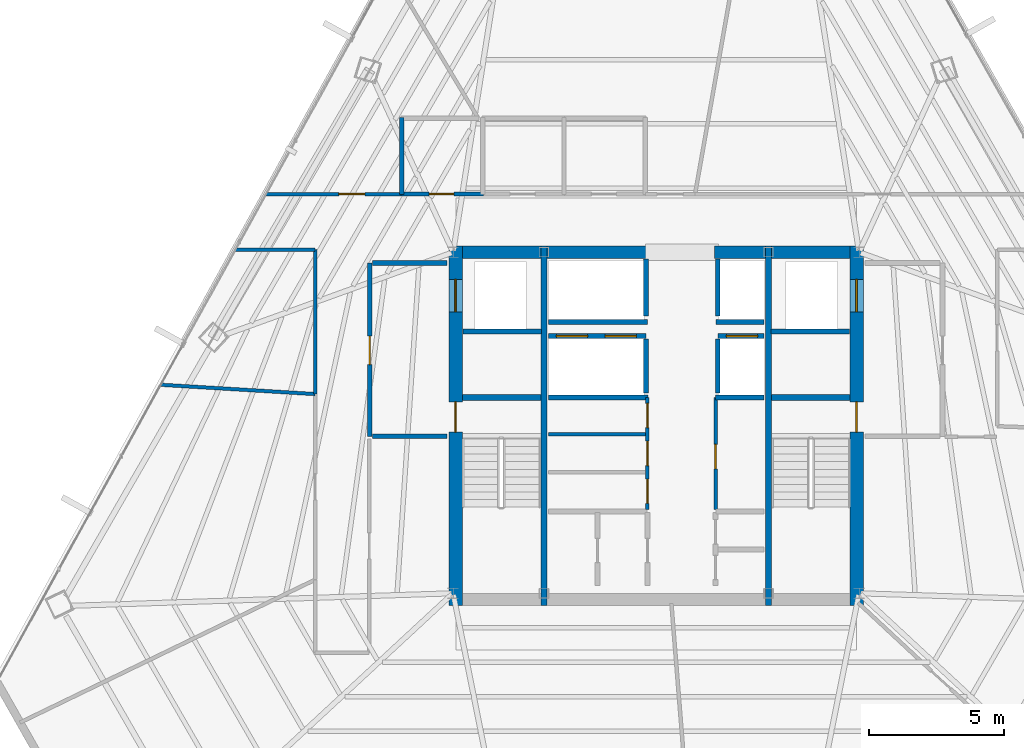
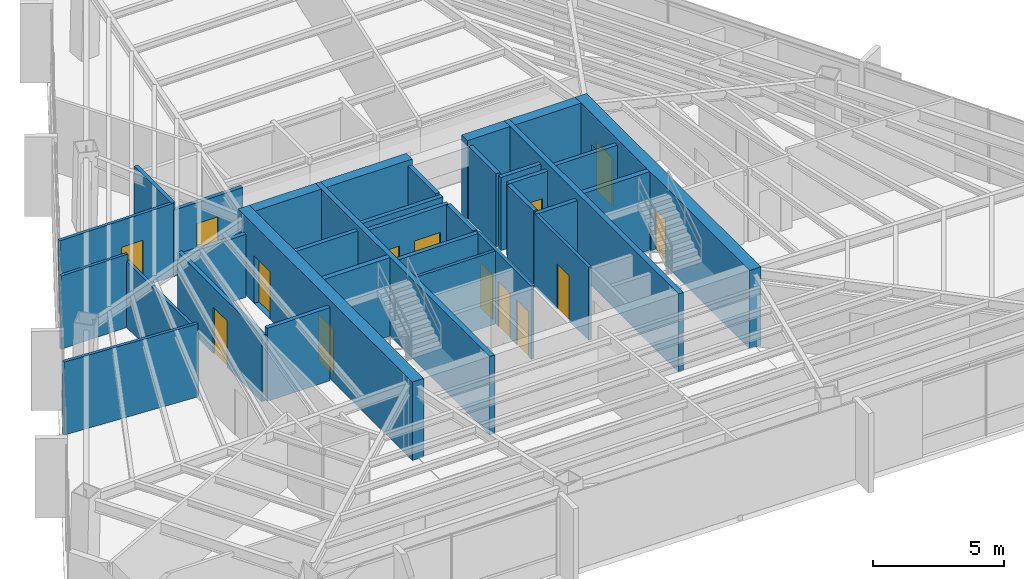
# One storey, part 36 of 41: 34 walls, 14 doors, 14 openings.
"""IFC4 building model written with IfcOpenShell, lengths in metres."""

from ifc_helpers import new_model, si_unit, direction, frame, frame_2d, origin, place, context, subcontext, project, spatial, rectangle, extrude, material, layer, layer_set, type_object, element, fill, save


model = new_model("IFC4")

# Units and contexts
model_context = context("Model", 3, precision=1e-05, world=origin(), true_north=direction((0.0, 1.0)))
body_context = subcontext(model_context, "Body", "Model", "MODEL_VIEW")
ifc_project = project(units=[si_unit("LENGTHUNIT", "METRE"), si_unit("AREAUNIT", "SQUARE_METRE"), si_unit("VOLUMEUNIT", "CUBIC_METRE"), si_unit("PLANEANGLEUNIT", "RADIAN"), si_unit("MASSUNIT", "GRAM", prefix="KILO")], contexts=[model_context])

# Site, building, storey
site_placement = place(None, origin())
site = spatial("IfcSite", under=ifc_project, at=site_placement, CompositionType="ELEMENT")
building_placement = place(site_placement, origin())
building = spatial("IfcBuilding", under=site, at=building_placement, Name="Caelisora Broadcast Tower", CompositionType="ELEMENT")
storey_placement = place(building_placement, frame((0.0, 0.0, 209.60009765625)))
storey = spatial("IfcBuildingStorey", under=building, at=storey_placement, Name="L55", CompositionType="ELEMENT", Elevation=209.60009765625)

# Wall, openings, doors
ifc_material_1 = material(Name="Concrete 50 MPa (AS 3600 S50)", Category="concrete")
ifc_layer_1 = layer(ifc_material_1, 0.5, Name="Concrete 50 MPa (AS 3600 S50)")
ifc_layer_set_1 = layer_set([ifc_layer_1], Name="Concrete 50 MPa (AS 3600 S50)")
wall_type_1 = type_object("IfcWallType", Name="CW2", PredefinedType="SHEAR", material=ifc_layer_set_1)
wall_1_placement = place(storey_placement, frame((30.590087890625, 16.949951171875, 0.0), z_axis=(0.0, 0.0, 1.0), x_axis=(0.0, 1.0, 0.0)))
wall_1 = element("IfcWall", 1, at=wall_1_placement, inside=storey, type_object=wall_type_1, Name="L55 core shear wall CW2", PredefinedType="SHEAR", context=body_context, shape_type="SweptSolid", body=[
    extrude(rectangle(XDim=13.275146484375, YDim=0.5, at=frame_2d((6.6376953125, 0.0))), origin(), (0.0, 0.0, 1.0), 3.64990234375),
])
opening_1_placement = place(wall_1_placement, frame((6.39990234375, 0.0, 0.0)))
opening_1 = element("IfcOpeningElement", 2, at=opening_1_placement, cuts=wall_1, Name="Opening FD04", PredefinedType="OPENING", context=body_context, shape_type="SweptSolid", body=[
    extrude(rectangle(XDim=1.1201171875, YDim=2.14990234375, at=frame_2d((0.56005859375, 1.074951171875))), frame((0.0, 0.261962890625, 0.0), z_axis=(0.0, -1.0, 0.0), x_axis=(1.0, 0.0, 0.0)), (0.0, 0.0, 1.0), 0.52392578125),
])
opening_2_placement = place(wall_1_placement, frame((10.85009765625, 0.0, 0.0)))
opening_2 = element("IfcOpeningElement", 3, at=opening_2_placement, cuts=wall_1, Name="Opening LD04", PredefinedType="OPENING", context=body_context, shape_type="SweptSolid", body=[
    extrude(rectangle(XDim=1.199951171875, YDim=2.199951171875, at=frame_2d((0.60009765625, 1.10009765625))), frame((0.0, 0.261962890625, 0.0), z_axis=(0.0, -1.0, 0.0), x_axis=(1.0, 0.0, 0.0)), (0.0, 0.0, 1.0), 0.52392578125),
])
ifc_material_2 = material(Name="Pressurised Fire-Isolated Stair Door", Category="steel")
door_type_1 = type_object("IfcDoorType", Name="FD04", OperationType="NOTDEFINED", PredefinedType="DOOR", material=ifc_material_2)
door_1_placement = place(opening_1_placement, origin())
door_1 = element("IfcDoor", 4, at=door_1_placement, inside=storey, type_object=door_type_1, Name="L55 door FD04 (L55-DR-ST1)", OperationType="SINGLE_SWING_LEFT", OverallHeight=2.14990234375, OverallWidth=1.1201171875, PredefinedType="DOOR", context=body_context, shape_type="SweptSolid", body=[
    extrude(rectangle(XDim=1.1201171875, YDim=2.14990234375, at=frame_2d((0.56005859375, 1.074951171875))), frame((0.0, 0.02490234375, 0.0), z_axis=(0.0, -1.0, 0.0), x_axis=(1.0, 0.0, 0.0)), (0.0, 0.0, 1.0), 0.050048828125),
])
fill(opening_1, door_1)
ifc_material_3 = material(Name="Emergency Firefighting Lift Sliding Landing Door", Category="steel")
door_type_2 = type_object("IfcDoorType", Name="LD04", OperationType="NOTDEFINED", PredefinedType="DOOR", material=ifc_material_3)
door_2_placement = place(opening_2_placement, origin())
door_2 = element("IfcDoor", 5, at=door_2_placement, inside=storey, type_object=door_type_2, Name="L55 door LD04 (L55-LD-FFL1)", OperationType="SLIDING_TO_LEFT", OverallHeight=2.199951171875, OverallWidth=1.199951171875, PredefinedType="DOOR", context=body_context, shape_type="SweptSolid", body=[
    extrude(rectangle(XDim=1.199951171875, YDim=2.199951171875, at=frame_2d((0.60009765625, 1.10009765625))), frame((0.0, 0.02490234375, 0.0), z_axis=(0.0, -1.0, 0.0), x_axis=(1.0, 0.0, 0.0)), (0.0, 0.0, 1.0), 0.050048828125),
])
fill(opening_2, door_2)

wall_2_placement = place(storey_placement, frame((45.409912109375, 16.949951171875, 0.0), z_axis=(0.0, 0.0, 1.0), x_axis=(0.0, 1.0, 0.0)))
wall_2 = element("IfcWall", 6, at=wall_2_placement, inside=storey, type_object=wall_type_1, Name="L55 core shear wall CW2", PredefinedType="SHEAR", context=body_context, shape_type="SweptSolid", body=[
    extrude(rectangle(XDim=13.275146484375, YDim=0.5, at=frame_2d((6.6376953125, 0.0))), origin(), (0.0, 0.0, 1.0), 3.64990234375),
])
opening_3_placement = place(wall_2_placement, frame((6.39990234375, 0.0, 0.0)))
opening_3 = element("IfcOpeningElement", 7, at=opening_3_placement, cuts=wall_2, Name="Opening FD04", PredefinedType="OPENING", context=body_context, shape_type="SweptSolid", body=[
    extrude(rectangle(XDim=1.1201171875, YDim=2.14990234375, at=frame_2d((0.56005859375, 1.074951171875))), frame((0.0, 0.261962890625, 0.0), z_axis=(0.0, -1.0, 0.0), x_axis=(1.0, 0.0, 0.0)), (0.0, 0.0, 1.0), 0.52392578125),
])
opening_4_placement = place(wall_2_placement, frame((10.85009765625, 0.0, 0.0)))
opening_4 = element("IfcOpeningElement", 8, at=opening_4_placement, cuts=wall_2, Name="Opening LD04", PredefinedType="OPENING", context=body_context, shape_type="SweptSolid", body=[
    extrude(rectangle(XDim=1.199951171875, YDim=2.199951171875, at=frame_2d((0.60009765625, 1.10009765625))), frame((0.0, 0.261962890625, 0.0), z_axis=(0.0, -1.0, 0.0), x_axis=(1.0, 0.0, 0.0)), (0.0, 0.0, 1.0), 0.52392578125),
])
door_3_placement = place(opening_3_placement, origin())
door_3 = element("IfcDoor", 9, at=door_3_placement, inside=storey, type_object=door_type_1, Name="L55 door FD04 (L55-DR-ST2)", OperationType="SINGLE_SWING_RIGHT", OverallHeight=2.14990234375, OverallWidth=1.1201171875, PredefinedType="DOOR", context=body_context, shape_type="SweptSolid", body=[
    extrude(rectangle(XDim=1.1201171875, YDim=2.14990234375, at=frame_2d((0.56005859375, 1.074951171875))), frame((0.0, 0.02490234375, 0.0), z_axis=(0.0, -1.0, 0.0), x_axis=(1.0, 0.0, 0.0)), (0.0, 0.0, 1.0), 0.050048828125),
])
fill(opening_3, door_3)
door_4_placement = place(opening_4_placement, origin())
door_4 = element("IfcDoor", 10, at=door_4_placement, inside=storey, type_object=door_type_2, Name="L55 door LD04 (L55-LD-FFL2)", OperationType="SLIDING_TO_RIGHT", OverallHeight=2.199951171875, OverallWidth=1.199951171875, PredefinedType="DOOR", context=body_context, shape_type="SweptSolid", body=[
    extrude(rectangle(XDim=1.199951171875, YDim=2.199951171875, at=frame_2d((0.60009765625, 1.10009765625))), frame((0.0, 0.02490234375, 0.0), z_axis=(0.0, -1.0, 0.0), x_axis=(1.0, 0.0, 0.0)), (0.0, 0.0, 1.0), 0.050048828125),
])
fill(opening_4, door_4)

# Walls
ifc_layer_2 = layer(ifc_material_1, 0.449951171875, Name="Concrete 50 MPa (AS 3600 S50)")
ifc_layer_set_2 = layer_set([ifc_layer_2], Name="Concrete 50 MPa (AS 3600 S50)")
wall_type_2 = type_object("IfcWallType", Name="CW5", PredefinedType="SHEAR", material=ifc_layer_set_2)
wall_3_placement = place(storey_placement, frame((30.840087890625, 30.0, 0.0), z_axis=(0.0, 0.0, 1.0), x_axis=(1.0, 0.0, 0.0)))
element("IfcWall", 11, at=wall_3_placement, inside=storey, type_object=wall_type_2, Name="L55 core shear wall CW5", PredefinedType="SHEAR", context=body_context, shape_type="SweptSolid", body=[
    extrude(rectangle(XDim=2.89990234375, YDim=0.449951171875, at=frame_2d((1.449951171875, 0.0))), origin(), (0.0, 0.0, 1.0), 3.64990234375),
])
wall_4_placement = place(storey_placement, frame((33.9599609375, 30.0, 0.0), z_axis=(0.0, 0.0, 1.0), x_axis=(1.0, 0.0, 0.0)))
element("IfcWall", 12, at=wall_4_placement, inside=storey, type_object=wall_type_2, Name="L55 core shear wall CW5", PredefinedType="SHEAR", context=body_context, shape_type="SweptSolid", body=[
    extrude(rectangle(XDim=3.780029296875, YDim=0.449951171875, at=frame_2d((1.89013671875, 0.0))), origin(), (0.0, 0.0, 1.0), 3.64990234375),
])
wall_5_placement = place(storey_placement, frame((40.159912109375, 30.0, 0.0), z_axis=(0.0, 0.0, 1.0), x_axis=(1.0, 0.0, 0.0)))
element("IfcWall", 13, at=wall_5_placement, inside=storey, type_object=wall_type_2, Name="L55 core shear wall CW5", PredefinedType="SHEAR", context=body_context, shape_type="SweptSolid", body=[
    extrude(rectangle(XDim=1.880126953125, YDim=0.449951171875, at=frame_2d((0.93994140625, 0.0))), origin(), (0.0, 0.0, 1.0), 3.64990234375),
])
wall_6_placement = place(storey_placement, frame((42.260009765625, 30.0, 0.0), z_axis=(0.0, 0.0, 1.0), x_axis=(1.0, 0.0, 0.0)))
element("IfcWall", 14, at=wall_6_placement, inside=storey, type_object=wall_type_2, Name="L55 core shear wall CW5", PredefinedType="SHEAR", context=body_context, shape_type="SweptSolid", body=[
    extrude(rectangle(XDim=2.89990234375, YDim=0.449951171875, at=frame_2d((1.449951171875, 0.0))), origin(), (0.0, 0.0, 1.0), 3.64990234375),
])
ifc_layer_3 = layer(ifc_material_1, 0.219970703125, Name="Concrete 50 MPa (AS 3600 S50)")
ifc_layer_set_3 = layer_set([ifc_layer_3], Name="Concrete 50 MPa (AS 3600 S50)")
wall_type_3 = type_object("IfcWallType", Name="CW7", PredefinedType="SHEAR", material=ifc_layer_set_3)
for number, where, z_axis, x_axis, name in (
    (15, (33.85009765625, 16.949951171875, 0.0), (0.0, 0.0, 1.0), (0.0, 1.0, 0.0), "L55 core shear wall CW7"),
    (16, (42.14990234375, 16.949951171875, 0.0), (0.0, 0.0, 1.0), (0.0, 1.0, 0.0), "L55 core shear wall CW7"),
):
    element("IfcWall", number, at=place(storey_placement, frame(where, z_axis=z_axis, x_axis=x_axis)), inside=storey, type_object=wall_type_3, Name=name, PredefinedType="SHEAR", context=body_context, shape_type="SweptSolid", body=[
        extrude(rectangle(XDim=13.275146484375, YDim=0.219970703125, at=frame_2d((6.6376953125, 0.0))), origin(), (0.0, 0.0, 1.0), 3.64990234375),
    ])
for number, where, z_axis, x_axis, name in (
    (17, (30.840087890625, 24.639892578125, 0.0), (0.0, 0.0, 1.0), (1.0, 0.0, 0.0), "L55 core shear wall CW7"),
    (18, (42.260009765625, 24.639892578125, 0.0), (0.0, 0.0, 1.0), (1.0, 0.0, 0.0), "L55 core shear wall CW7"),
):
    element("IfcWall", number, at=place(storey_placement, frame(where, z_axis=z_axis, x_axis=x_axis)), inside=storey, type_object=wall_type_3, Name=name, PredefinedType="SHEAR", context=body_context, shape_type="SweptSolid", body=[
        extrude(rectangle(XDim=2.89990234375, YDim=0.219970703125, at=frame_2d((1.449951171875, 0.0))), origin(), (0.0, 0.0, 1.0), 3.64990234375),
    ])

# Wall, openings, doors
ifc_material_4 = material(Name="Fire-Rated Gypsum Shaft and Compartment Wall", Category="gypsum")
ifc_layer_4 = layer(ifc_material_4, 0.179931640625, Name="Fire-Rated Gypsum Shaft and Compartment Wall")
ifc_layer_set_4 = layer_set([ifc_layer_4], Name="Fire-Rated Gypsum Shaft and Compartment Wall")
wall_type_4 = type_object("IfcWallType", Name="PW2", PredefinedType="PARTITIONING", material=ifc_layer_set_4)
wall_7_placement = place(storey_placement, frame((34.02001953125, 26.89990234375, 0.0), z_axis=(0.0, 0.0, 1.0), x_axis=(1.0, 0.0, 0.0)))
wall_7 = element("IfcWall", 19, at=wall_7_placement, inside=storey, type_object=wall_type_4, Name="L55 fire compartment wall PW2", PredefinedType="PARTITIONING", context=body_context, shape_type="SweptSolid", body=[
    extrude(rectangle(XDim=3.60009765625, YDim=0.179931640625, at=frame_2d((1.800048828125, 0.0))), origin(), (0.0, 0.0, 1.0), 3.39990234375),
])
opening_5_placement = place(wall_7_placement, frame((0.300048828125, 0.0, 0.0)))
opening_5 = element("IfcOpeningElement", 20, at=opening_5_placement, cuts=wall_7, Name="Opening LD02", PredefinedType="OPENING", context=body_context, shape_type="SweptSolid", body=[
    extrude(rectangle(XDim=1.14990234375, YDim=2.199951171875, at=frame_2d((0.574951171875, 1.10009765625))), frame((0.0, 0.10205078125, 0.0), z_axis=(0.0, -1.0, 0.0), x_axis=(1.0, 0.0, 0.0)), (0.0, 0.0, 1.0), 0.203857421875),
])
opening_6_placement = place(wall_7_placement, frame((2.10009765625, 0.0, 0.0)))
opening_6 = element("IfcOpeningElement", 21, at=opening_6_placement, cuts=wall_7, Name="Opening LD02", PredefinedType="OPENING", context=body_context, shape_type="SweptSolid", body=[
    extrude(rectangle(XDim=1.14990234375, YDim=2.199951171875, at=frame_2d((0.574951171875, 1.10009765625))), frame((0.0, 0.10205078125, 0.0), z_axis=(0.0, -1.0, 0.0), x_axis=(1.0, 0.0, 0.0)), (0.0, 0.0, 1.0), 0.203857421875),
])
ifc_material_5 = material(Name="High-Speed Express Lift Sliding Landing Door", Category="steel")
door_type_3 = type_object("IfcDoorType", Name="LD02", OperationType="NOTDEFINED", PredefinedType="DOOR", material=ifc_material_5)
door_5_placement = place(opening_5_placement, origin())
door_5 = element("IfcDoor", 22, at=door_5_placement, inside=storey, type_object=door_type_3, Name="L55 door LD02 (L55-LD-PLM1)", OperationType="SLIDING_TO_LEFT", OverallHeight=2.199951171875, OverallWidth=1.14990234375, PredefinedType="DOOR", context=body_context, shape_type="SweptSolid", body=[
    extrude(rectangle(XDim=1.14990234375, YDim=2.199951171875, at=frame_2d((0.574951171875, 1.10009765625))), frame((0.0, 0.02490234375, 0.0), z_axis=(0.0, -1.0, 0.0), x_axis=(1.0, 0.0, 0.0)), (0.0, 0.0, 1.0), 0.050048828125),
])
fill(opening_5, door_5)
door_6_placement = place(opening_6_placement, origin())
door_6 = element("IfcDoor", 23, at=door_6_placement, inside=storey, type_object=door_type_3, Name="L55 door LD02 (L55-LD-PLM2)", OperationType="SLIDING_TO_RIGHT", OverallHeight=2.199951171875, OverallWidth=1.14990234375, PredefinedType="DOOR", context=body_context, shape_type="SweptSolid", body=[
    extrude(rectangle(XDim=1.14990234375, YDim=2.199951171875, at=frame_2d((0.574951171875, 1.10009765625))), frame((0.0, 0.02490234375, 0.0), z_axis=(0.0, -1.0, 0.0), x_axis=(1.0, 0.0, 0.0)), (0.0, 0.0, 1.0), 0.050048828125),
])
fill(opening_6, door_6)

# Wall, opening, door
wall_8_placement = place(storey_placement, frame((40.280029296875, 26.89990234375, 0.0), z_axis=(0.0, 0.0, 1.0), x_axis=(1.0, 0.0, 0.0)))
wall_8 = element("IfcWall", 24, at=wall_8_placement, inside=storey, type_object=wall_type_4, Name="L55 fire compartment wall PW2", PredefinedType="PARTITIONING", context=body_context, shape_type="SweptSolid", body=[
    extrude(rectangle(XDim=1.699951171875, YDim=0.179931640625, at=frame_2d((0.85009765625, 0.0))), origin(), (0.0, 0.0, 1.0), 3.39990234375),
])
opening_7_placement = place(wall_8_placement, frame((0.320068359375, 0.0, 0.0)))
opening_7 = element("IfcOpeningElement", 25, at=opening_7_placement, cuts=wall_8, Name="Opening LD02", PredefinedType="OPENING", context=body_context, shape_type="SweptSolid", body=[
    extrude(rectangle(XDim=1.14990234375, YDim=2.199951171875, at=frame_2d((0.574951171875, 1.10009765625))), frame((0.0, 0.10205078125, 0.0), z_axis=(0.0, -1.0, 0.0), x_axis=(1.0, 0.0, 0.0)), (0.0, 0.0, 1.0), 0.203857421875),
])
door_7_placement = place(opening_7_placement, origin())
door_7 = element("IfcDoor", 26, at=door_7_placement, inside=storey, type_object=door_type_3, Name="L55 door LD02 (L55-LD-PLM3)", OperationType="SLIDING_TO_LEFT", OverallHeight=2.199951171875, OverallWidth=1.14990234375, PredefinedType="DOOR", context=body_context, shape_type="SweptSolid", body=[
    extrude(rectangle(XDim=1.14990234375, YDim=2.199951171875, at=frame_2d((0.574951171875, 1.10009765625))), frame((0.0, 0.02490234375, 0.0), z_axis=(0.0, -1.0, 0.0), x_axis=(1.0, 0.0, 0.0)), (0.0, 0.0, 1.0), 0.050048828125),
])
fill(opening_7, door_7)

# Walls
for number, where, z_axis, x_axis, name in (
    (27, (37.6201171875, 24.800048828125, 0.0), (0.0, 0.0, 1.0), (0.0, 1.0, 0.0), "L55 fire compartment wall PW2"),
    (28, (40.280029296875, 24.800048828125, 0.0), (0.0, 0.0, 1.0), (0.0, 1.0, 0.0), "L55 fire compartment wall PW2"),
):
    element("IfcWall", number, at=place(storey_placement, frame(where, z_axis=z_axis, x_axis=x_axis)), inside=storey, type_object=wall_type_4, Name=name, PredefinedType="PARTITIONING", context=body_context, shape_type="SweptSolid", body=[
        extrude(rectangle(XDim=2.0, YDim=0.179931640625, at=frame_2d((1.0, 0.0))), origin(), (0.0, 0.0, 1.0), 3.39990234375),
    ])
wall_9_placement = place(storey_placement, frame((34.02001953125, 24.639892578125, 0.0), z_axis=(0.0, 0.0, 1.0), x_axis=(1.0, 0.0, 0.0)))
element("IfcWall", 29, at=wall_9_placement, inside=storey, type_object=wall_type_4, Name="L55 fire compartment wall PW2", PredefinedType="PARTITIONING", context=body_context, shape_type="SweptSolid", body=[
    extrude(rectangle(XDim=3.679931640625, YDim=0.179931640625, at=frame_2d((1.83984375, 0.0))), origin(), (0.0, 0.0, 1.0), 3.39990234375),
])
wall_10_placement = place(storey_placement, frame((40.199951171875, 24.639892578125, 0.0), z_axis=(0.0, 0.0, 1.0), x_axis=(1.0, 0.0, 0.0)))
element("IfcWall", 30, at=wall_10_placement, inside=storey, type_object=wall_type_4, Name="L55 fire compartment wall PW2", PredefinedType="PARTITIONING", context=body_context, shape_type="SweptSolid", body=[
    extrude(rectangle(XDim=1.780029296875, YDim=0.179931640625, at=frame_2d((0.89013671875, 0.0))), origin(), (0.0, 0.0, 1.0), 3.39990234375),
])
wall_11_placement = place(storey_placement, frame((34.02001953125, 27.419921875, 0.0), z_axis=(0.0, 0.0, 1.0), x_axis=(1.0, 0.0, 0.0)))
element("IfcWall", 31, at=wall_11_placement, inside=storey, type_object=wall_type_4, Name="L55 fire compartment wall PW2", PredefinedType="PARTITIONING", context=body_context, shape_type="SweptSolid", body=[
    extrude(rectangle(XDim=3.659912109375, YDim=0.179931640625, at=frame_2d((1.830078125, 0.0))), origin(), (0.0, 0.0, 1.0), 3.39990234375),
])
wall_12_placement = place(storey_placement, frame((40.219970703125, 27.419921875, 0.0), z_axis=(0.0, 0.0, 1.0), x_axis=(1.0, 0.0, 0.0)))
element("IfcWall", 32, at=wall_12_placement, inside=storey, type_object=wall_type_4, Name="L55 fire compartment wall PW2", PredefinedType="PARTITIONING", context=body_context, shape_type="SweptSolid", body=[
    extrude(rectangle(XDim=1.760009765625, YDim=0.179931640625, at=frame_2d((0.8798828125, 0.0))), origin(), (0.0, 0.0, 1.0), 3.39990234375),
])
for number, where, z_axis, x_axis, name in (
    (33, (37.6201171875, 27.639892578125, 0.0), (0.0, 0.0, 1.0), (0.0, 1.0, 0.0), "L55 fire compartment wall PW2"),
    (34, (40.280029296875, 27.639892578125, 0.0), (0.0, 0.0, 1.0), (0.0, 1.0, 0.0), "L55 fire compartment wall PW2"),
):
    element("IfcWall", number, at=place(storey_placement, frame(where, z_axis=z_axis, x_axis=x_axis)), inside=storey, type_object=wall_type_4, Name=name, PredefinedType="PARTITIONING", context=body_context, shape_type="SweptSolid", body=[
        extrude(rectangle(XDim=2.110107421875, YDim=0.179931640625, at=frame_2d((1.05517578125, 0.0))), origin(), (0.0, 0.0, 1.0), 3.39990234375),
    ])

# Wall, opening, door
wall_13_placement = place(storey_placement, frame((27.419921875, 23.199951171875, 0.0), z_axis=(0.0, 0.0, 1.0), x_axis=(0.0, 1.0, 0.0)))
wall_13 = element("IfcWall", 35, at=wall_13_placement, inside=storey, type_object=wall_type_4, Name="L55 fire compartment wall PW2", PredefinedType="PARTITIONING", context=body_context, shape_type="SweptSolid", body=[
    extrude(rectangle(XDim=6.400146484375, YDim=0.179931640625, at=frame_2d((3.2001953125, 0.0))), origin(), (0.0, 0.0, 1.0), 3.07763671875),
])
opening_8_placement = place(wall_13_placement, frame((2.64990234375, 0.0, 0.0)))
opening_8 = element("IfcOpeningElement", 36, at=opening_8_placement, cuts=wall_13, Name="Opening FD02", PredefinedType="OPENING", context=body_context, shape_type="SweptSolid", body=[
    extrude(rectangle(XDim=1.050048828125, YDim=2.14990234375, at=frame_2d((0.52490234375, 1.074951171875))), frame((0.0, 0.10205078125, 0.0), z_axis=(0.0, -1.0, 0.0), x_axis=(1.0, 0.0, 0.0)), (0.0, 0.0, 1.0), 0.203857421875),
])
ifc_material_6 = material(Name="Single-Leaf Steel Fire Lobby Door", Category="steel")
door_type_4 = type_object("IfcDoorType", Name="FD02", OperationType="NOTDEFINED", PredefinedType="DOOR", material=ifc_material_6)
door_8_placement = place(opening_8_placement, origin())
door_8 = element("IfcDoor", 37, at=door_8_placement, inside=storey, type_object=door_type_4, Name="L55 door FD02 (L55-DR-P01D1)", OperationType="SINGLE_SWING_LEFT", OverallHeight=2.14990234375, OverallWidth=1.050048828125, PredefinedType="DOOR", context=body_context, shape_type="SweptSolid", body=[
    extrude(rectangle(XDim=1.050048828125, YDim=2.14990234375, at=frame_2d((0.52490234375, 1.074951171875))), frame((0.0, 0.02490234375, 0.0), z_axis=(0.0, -1.0, 0.0), x_axis=(1.0, 0.0, 0.0)), (0.0, 0.0, 1.0), 0.050048828125),
])
fill(opening_8, door_8)

# Walls
wall_14_placement = place(storey_placement, frame((27.52001953125, 23.199951171875, 0.0), z_axis=(0.0, 0.0, 1.0), x_axis=(1.0, 0.0, 0.0)))
element("IfcWall", 38, at=wall_14_placement, inside=storey, type_object=wall_type_4, Name="L55 fire compartment wall PW2", PredefinedType="PARTITIONING", context=body_context, shape_type="SweptSolid", body=[
    extrude(rectangle(XDim=2.760009765625, YDim=0.179931640625, at=frame_2d((1.3798828125, 0.0))), origin(), (0.0, 0.0, 1.0), 3.39990234375),
])
wall_15_placement = place(storey_placement, frame((27.52001953125, 29.60009765625, 0.0), z_axis=(0.0, 0.0, 1.0), x_axis=(1.0, 0.0, 0.0)))
element("IfcWall", 39, at=wall_15_placement, inside=storey, type_object=wall_type_4, Name="L55 fire compartment wall PW2", PredefinedType="PARTITIONING", context=body_context, shape_type="SweptSolid", body=[
    extrude(rectangle(XDim=2.760009765625, YDim=0.179931640625, at=frame_2d((1.3798828125, 0.0))), origin(), (0.0, 0.0, 1.0), 2.924560546875),
])
for number, where, z_axis, x_axis, name in (
    (40, (30.860107421875, 27.070068359375, 0.0), (0.0, 0.0, 1.0), (1.0, 0.0, 0.0), "L55 fire compartment wall PW2"),
    (41, (42.239990234375, 27.070068359375, 0.0), (0.0, 0.0, 1.0), (1.0, 0.0, 0.0), "L55 fire compartment wall PW2"),
):
    element("IfcWall", number, at=place(storey_placement, frame(where, z_axis=z_axis, x_axis=x_axis)), inside=storey, type_object=wall_type_4, Name=name, PredefinedType="PARTITIONING", context=body_context, shape_type="SweptSolid", body=[
        extrude(rectangle(XDim=2.89990234375, YDim=0.179931640625, at=frame_2d((1.449951171875, 0.0))), origin(), (0.0, 0.0, 1.0), 3.39990234375),
    ])
ifc_material_7 = material(Name="Acoustic Steel-Stud Plasterboard Partition", Category="gypsum")
ifc_layer_5 = layer(ifc_material_7, 0.1298828125, Name="Acoustic Steel-Stud Plasterboard Partition")
ifc_layer_set_5 = layer_set([ifc_layer_5], Name="Acoustic Steel-Stud Plasterboard Partition")
wall_type_5 = type_object("IfcWallType", Name="PW3", PredefinedType="PARTITIONING", material=ifc_layer_set_5)
wall_16_placement = place(storey_placement, frame((34.02001953125, 23.280029296875, 0.0), z_axis=(0.0, 0.0, 1.0), x_axis=(1.0, 0.0, 0.0)))
element("IfcWall", 42, at=wall_16_placement, inside=storey, type_object=wall_type_5, Name="L55 internal partition PW3", PredefinedType="PARTITIONING", context=body_context, shape_type="SweptSolid", body=[
    extrude(rectangle(XDim=3.580078125, YDim=0.1298828125, at=frame_2d((1.7900390625, 0.0))), origin(), (0.0, 0.0, 1.0), 3.39990234375),
])

# Wall, openings, doors
wall_17_placement = place(storey_placement, frame((37.679931640625, 20.5, 0.0), z_axis=(0.0, 0.0, 1.0), x_axis=(0.0, 1.0, 0.0)))
wall_17 = element("IfcWall", 43, at=wall_17_placement, inside=storey, type_object=wall_type_5, Name="L55 internal partition PW3", PredefinedType="PARTITIONING", context=body_context, shape_type="SweptSolid", body=[
    extrude(rectangle(XDim=4.139892578125, YDim=0.1298828125, at=frame_2d((2.06982421875, 0.0))), origin(), (0.0, 0.0, 1.0), 3.39990234375),
])
opening_9_placement = place(wall_17_placement, frame((0.219970703125, 0.0, 0.0)))
opening_9 = element("IfcOpeningElement", 44, at=opening_9_placement, cuts=wall_17, Name="Opening FD03", PredefinedType="OPENING", context=body_context, shape_type="SweptSolid", body=[
    extrude(rectangle(XDim=0.89990234375, YDim=2.10009765625, at=frame_2d((0.449951171875, 1.050048828125))), frame((0.0, 0.076904296875, 0.0), z_axis=(0.0, -1.0, 0.0), x_axis=(1.0, 0.0, 0.0)), (0.0, 0.0, 1.0), 0.15380859375),
])
opening_10_placement = place(wall_17_placement, frame((1.6201171875, 0.0, 0.0)))
opening_10 = element("IfcOpeningElement", 45, at=opening_10_placement, cuts=wall_17, Name="Opening FD03", PredefinedType="OPENING", context=body_context, shape_type="SweptSolid", body=[
    extrude(rectangle(XDim=0.89990234375, YDim=2.10009765625, at=frame_2d((0.449951171875, 1.050048828125))), frame((0.0, 0.076904296875, 0.0), z_axis=(0.0, -1.0, 0.0), x_axis=(1.0, 0.0, 0.0)), (0.0, 0.0, 1.0), 0.15380859375),
])
opening_11_placement = place(wall_17_placement, frame((3.02001953125, 0.0, 0.0)))
opening_11 = element("IfcOpeningElement", 46, at=opening_11_placement, cuts=wall_17, Name="Opening FD03", PredefinedType="OPENING", context=body_context, shape_type="SweptSolid", body=[
    extrude(rectangle(XDim=0.89990234375, YDim=2.10009765625, at=frame_2d((0.449951171875, 1.050048828125))), frame((0.0, 0.076904296875, 0.0), z_axis=(0.0, -1.0, 0.0), x_axis=(1.0, 0.0, 0.0)), (0.0, 0.0, 1.0), 0.15380859375),
])
ifc_material_8 = material(Name="Single-Leaf Steel Riser Fire Access Door", Category="steel")
door_type_5 = type_object("IfcDoorType", Name="FD03", OperationType="NOTDEFINED", PredefinedType="DOOR", material=ifc_material_8)
door_9_placement = place(opening_9_placement, origin())
door_9 = element("IfcDoor", 47, at=door_9_placement, inside=storey, type_object=door_type_5, Name="L55 door FD03 (L55-DR-P13D1)", OperationType="SINGLE_SWING_LEFT", OverallHeight=2.10009765625, OverallWidth=0.89990234375, PredefinedType="DOOR", context=body_context, shape_type="SweptSolid", body=[
    extrude(rectangle(XDim=0.89990234375, YDim=2.10009765625, at=frame_2d((0.449951171875, 1.050048828125))), frame((0.0, 0.02490234375, 0.0), z_axis=(0.0, -1.0, 0.0), x_axis=(1.0, 0.0, 0.0)), (0.0, 0.0, 1.0), 0.050048828125),
])
fill(opening_9, door_9)
door_10_placement = place(opening_10_placement, origin())
door_10 = element("IfcDoor", 48, at=door_10_placement, inside=storey, type_object=door_type_5, Name="L55 door FD03 (L55-DR-P13D2)", OperationType="SINGLE_SWING_RIGHT", OverallHeight=2.10009765625, OverallWidth=0.89990234375, PredefinedType="DOOR", context=body_context, shape_type="SweptSolid", body=[
    extrude(rectangle(XDim=0.89990234375, YDim=2.10009765625, at=frame_2d((0.449951171875, 1.050048828125))), frame((0.0, 0.02490234375, 0.0), z_axis=(0.0, -1.0, 0.0), x_axis=(1.0, 0.0, 0.0)), (0.0, 0.0, 1.0), 0.050048828125),
])
fill(opening_10, door_10)
door_11_placement = place(opening_11_placement, origin())
door_11 = element("IfcDoor", 49, at=door_11_placement, inside=storey, type_object=door_type_5, Name="L55 door FD03 (L55-DR-P13D3)", OperationType="SINGLE_SWING_LEFT", OverallHeight=2.10009765625, OverallWidth=0.89990234375, PredefinedType="DOOR", context=body_context, shape_type="SweptSolid", body=[
    extrude(rectangle(XDim=0.89990234375, YDim=2.10009765625, at=frame_2d((0.449951171875, 1.050048828125))), frame((0.0, 0.02490234375, 0.0), z_axis=(0.0, -1.0, 0.0), x_axis=(1.0, 0.0, 0.0)), (0.0, 0.0, 1.0), 0.050048828125),
])
fill(opening_11, door_11)

# Wall, opening, door
wall_18_placement = place(storey_placement, frame((40.199951171875, 20.5, 0.0), z_axis=(0.0, 0.0, 1.0), x_axis=(0.0, 1.0, 0.0)))
wall_18 = element("IfcWall", 50, at=wall_18_placement, inside=storey, type_object=wall_type_5, Name="L55 internal partition PW3", PredefinedType="PARTITIONING", context=body_context, shape_type="SweptSolid", body=[
    extrude(rectangle(XDim=4.139892578125, YDim=0.1298828125, at=frame_2d((2.06982421875, 0.0))), origin(), (0.0, 0.0, 1.0), 3.39990234375),
])
opening_12_placement = place(wall_18_placement, frame((1.5, 0.0, 0.0)))
opening_12 = element("IfcOpeningElement", 51, at=opening_12_placement, cuts=wall_18, Name="Opening FD03", PredefinedType="OPENING", context=body_context, shape_type="SweptSolid", body=[
    extrude(rectangle(XDim=0.89990234375, YDim=2.10009765625, at=frame_2d((0.449951171875, 1.050048828125))), frame((0.0, 0.076904296875, 0.0), z_axis=(0.0, -1.0, 0.0), x_axis=(1.0, 0.0, 0.0)), (0.0, 0.0, 1.0), 0.15380859375),
])
door_12_placement = place(opening_12_placement, origin())
door_12 = element("IfcDoor", 52, at=door_12_placement, inside=storey, type_object=door_type_5, Name="L55 door FD03 (L55-DR-P14D1)", OperationType="SINGLE_SWING_RIGHT", OverallHeight=2.10009765625, OverallWidth=0.89990234375, PredefinedType="DOOR", context=body_context, shape_type="SweptSolid", body=[
    extrude(rectangle(XDim=0.89990234375, YDim=2.10009765625, at=frame_2d((0.449951171875, 1.050048828125))), frame((0.0, 0.02490234375, 0.0), z_axis=(0.0, -1.0, 0.0), x_axis=(1.0, 0.0, 0.0)), (0.0, 0.0, 1.0), 0.050048828125),
])
fill(opening_12, door_12)

# Walls
wall_19_placement = place(storey_placement, frame((19.6962890625, 25.103515625, 0.0), z_axis=(0.0, 0.0, 1.0), x_axis=(0.998188240426, -0.060168402634, 0.0)))
element("IfcWall", 53, at=wall_19_placement, inside=storey, type_object=wall_type_5, Name="L55 internal partition PW3", PredefinedType="PARTITIONING", context=body_context, shape_type="SweptSolid", body=[
    extrude(rectangle(XDim=5.708984375, YDim=0.1298828125, at=frame_2d((2.8544921875, 0.0))), origin(), (0.0, 0.0, 1.0), 3.39990234375),
])
wall_20_placement = place(storey_placement, frame((25.39990234375, 30.094970703125, 0.0), z_axis=(0.0, 0.0, 1.0), x_axis=(0.0, -1.0, 0.0)))
element("IfcWall", 54, at=wall_20_placement, inside=storey, type_object=wall_type_5, Name="L55 internal partition PW3", PredefinedType="PARTITIONING", context=body_context, shape_type="SweptSolid", body=[
    extrude(rectangle(XDim=5.330078125, YDim=0.1298828125, at=frame_2d((2.6650390625, 0.0))), origin(), (0.0, 0.0, 1.0), 3.07763671875),
])

# Wall, opening, door
wall_21_placement = place(storey_placement, frame((23.583251953125, 32.14990234375, 0.0), z_axis=(0.0, 0.0, 1.0), x_axis=(1.0, 0.0, 0.0)))
wall_21 = element("IfcWall", 55, at=wall_21_placement, inside=storey, type_object=wall_type_5, Name="L55 internal partition PW3", PredefinedType="PARTITIONING", context=body_context, shape_type="SweptSolid", body=[
    extrude(rectangle(XDim=5.01171875, YDim=0.1298828125, at=frame_2d((2.505859375, 0.0))), origin(), (0.0, 0.0, 1.0), 3.39990234375),
])
opening_13_placement = place(wall_21_placement, frame((2.699951171875, 0.0, 0.0)))
opening_13 = element("IfcOpeningElement", 56, at=opening_13_placement, cuts=wall_21, Name="Opening D01", PredefinedType="OPENING", context=body_context, shape_type="SweptSolid", body=[
    extrude(rectangle(XDim=0.9599609375, YDim=2.14990234375, at=frame_2d((0.47998046875, 1.074951171875))), frame((0.0, 0.076904296875, 0.0), z_axis=(0.0, -1.0, 0.0), x_axis=(1.0, 0.0, 0.0)), (0.0, 0.0, 1.0), 0.15380859375),
])
ifc_material_9 = material(Name="Solid-Core Timber Acoustic Office Door", Category="wood")
door_type_6 = type_object("IfcDoorType", Name="D01", OperationType="NOTDEFINED", PredefinedType="DOOR", material=ifc_material_9)
door_13_placement = place(opening_13_placement, origin())
door_13 = element("IfcDoor", 57, at=door_13_placement, inside=storey, type_object=door_type_6, Name="L55 door D01 (L55-DR-P47D1)", OperationType="SINGLE_SWING_RIGHT", OverallHeight=2.14990234375, OverallWidth=0.9599609375, PredefinedType="DOOR", context=body_context, shape_type="SweptSolid", body=[
    extrude(rectangle(XDim=0.9599609375, YDim=2.14990234375, at=frame_2d((0.47998046875, 1.074951171875))), frame((0.0, 0.02490234375, 0.0), z_axis=(0.0, -1.0, 0.0), x_axis=(1.0, 0.0, 0.0)), (0.0, 0.0, 1.0), 0.050048828125),
])
fill(opening_13, door_13)

# Wall
wall_22_placement = place(storey_placement, frame((22.452392578125, 30.10009765625, 0.0), z_axis=(0.0, 0.0, 1.0), x_axis=(1.0, 0.0, 0.0)))
element("IfcWall", 58, at=wall_22_placement, inside=storey, type_object=wall_type_5, Name="L55 internal partition PW3", PredefinedType="PARTITIONING", context=body_context, shape_type="SweptSolid", body=[
    extrude(rectangle(XDim=2.942626953125, YDim=0.1298828125, at=frame_2d((1.47119140625, 0.0))), origin(), (0.0, 0.0, 1.0), 3.39990234375),
])

# Wall, opening, door
ifc_material_10 = material(Name="Moisture-Resistant Wet Plumbing Service Wall", Category="gypsum")
ifc_layer_6 = layer(ifc_material_10, 0.159912109375, Name="Moisture-Resistant Wet Plumbing Service Wall")
ifc_layer_set_6 = layer_set([ifc_layer_6], Name="Moisture-Resistant Wet Plumbing Service Wall")
wall_type_6 = type_object("IfcWallType", Name="PW4", PredefinedType="PLUMBINGWALL", material=ifc_layer_set_6)
wall_23_placement = place(storey_placement, frame((28.574951171875, 32.14990234375, 0.0), z_axis=(0.0, 0.0, 1.0), x_axis=(1.0, 0.0, 0.0)))
wall_23 = element("IfcWall", 59, at=wall_23_placement, inside=storey, type_object=wall_type_6, Name="L55 wet plumbing wall PW4", PredefinedType="PLUMBINGWALL", context=body_context, shape_type="SweptSolid", body=[
    extrude(rectangle(XDim=3.050048828125, YDim=0.159912109375, at=frame_2d((1.52490234375, 0.0))), origin(), (0.0, 0.0, 1.0), 3.07763671875),
])
opening_14_placement = place(wall_23_placement, frame((1.034912109375, 0.0, 0.0)))
opening_14 = element("IfcOpeningElement", 60, at=opening_14_placement, cuts=wall_23, Name="Opening D03", PredefinedType="OPENING", context=body_context, shape_type="SweptSolid", body=[
    extrude(rectangle(XDim=0.919921875, YDim=2.10009765625, at=frame_2d((0.4599609375, 1.050048828125))), frame((0.0, 0.092041015625, 0.0), z_axis=(0.0, -1.0, 0.0), x_axis=(1.0, 0.0, 0.0)), (0.0, 0.0, 1.0), 0.183837890625),
])
ifc_material_11 = material(Name="Laminate Moisture-Resistant Amenity WC Door", Category="wood")
door_type_7 = type_object("IfcDoorType", Name="D03", OperationType="NOTDEFINED", PredefinedType="DOOR", material=ifc_material_11)
door_14_placement = place(opening_14_placement, origin())
door_14 = element("IfcDoor", 61, at=door_14_placement, inside=storey, type_object=door_type_7, Name="L55 door D03 (L55-DR-P19D1)", OperationType="SINGLE_SWING_LEFT", OverallHeight=2.10009765625, OverallWidth=0.919921875, PredefinedType="DOOR", context=body_context, shape_type="SweptSolid", body=[
    extrude(rectangle(XDim=0.919921875, YDim=2.10009765625, at=frame_2d((0.4599609375, 1.050048828125))), frame((0.0, 0.02490234375, 0.0), z_axis=(0.0, -1.0, 0.0), x_axis=(1.0, 0.0, 0.0)), (0.0, 0.0, 1.0), 0.050048828125),
])
fill(opening_14, door_14)

# Wall
wall_24_placement = place(storey_placement, frame((28.60009765625, 32.125, 0.0), z_axis=(0.0, 0.0, 1.0), x_axis=(0.0, 1.0, 0.0)))
element("IfcWall", 62, at=wall_24_placement, inside=storey, type_object=wall_type_6, Name="L55 wet plumbing wall PW4", PredefinedType="PLUMBINGWALL", context=body_context, shape_type="SweptSolid", body=[
    extrude(rectangle(XDim=2.85009765625, YDim=0.159912109375, at=frame_2d((1.425048828125, 0.0))), origin(), (0.0, 0.0, 1.0), 3.39990234375),
])

save(model, "model.ifc")
